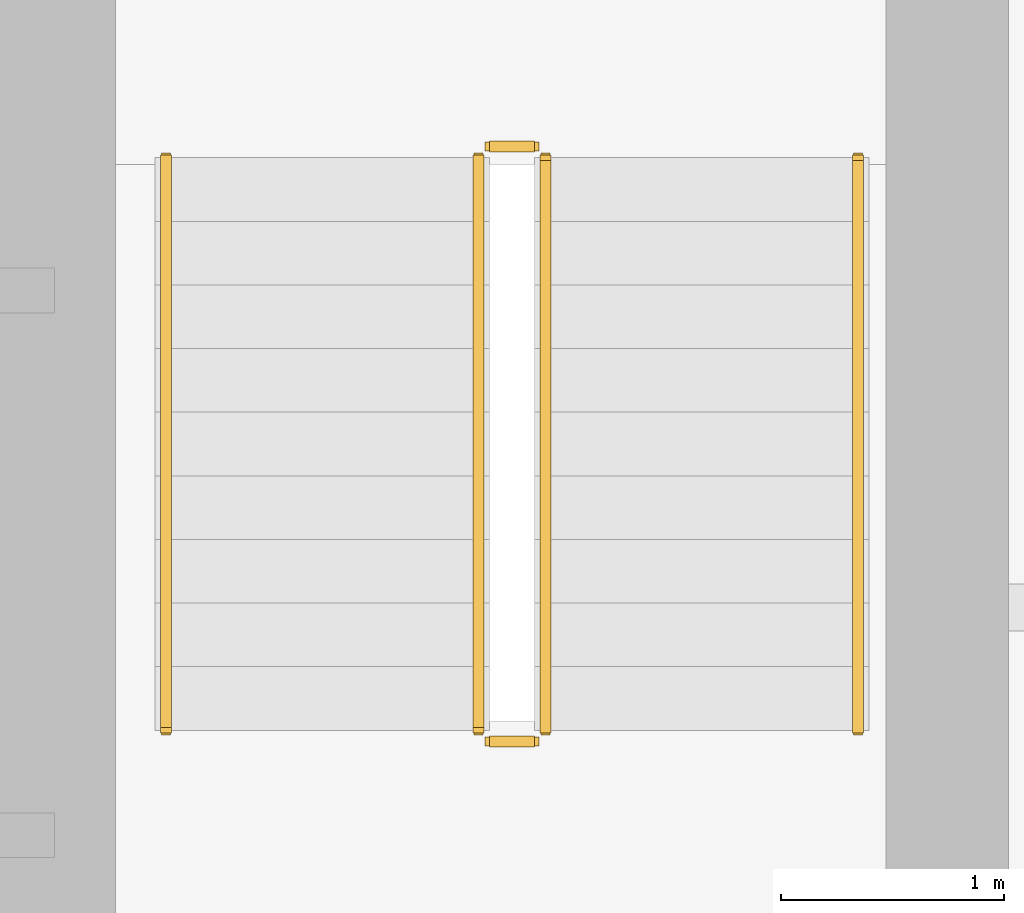
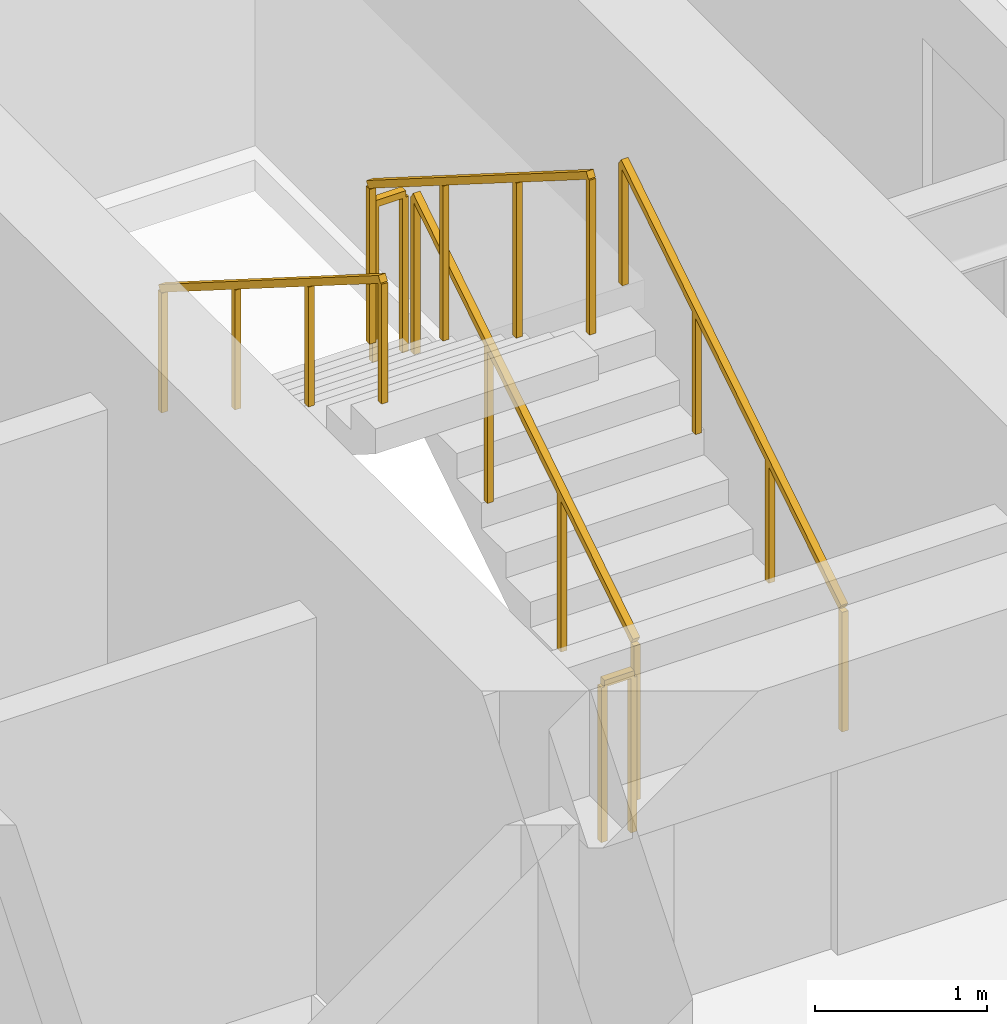
# One storey, part 24 of 24: 6 railings.
"""IFC4 building model written with IfcOpenShell, lengths in metres."""

from ifc_helpers import new_model, si_unit, direction, frame, origin, origin_2d, place, context, subcontext, project, spatial, rectangle, extrude, material, type_object, element, save


model = new_model("IFC4")

# Units and contexts
model_context = context("Model", 3, precision=1e-05, world=origin(), true_north=direction((0.0, 1.0)))
body_context = subcontext(model_context, "Body", "Model", "MODEL_VIEW")
ifc_project = project(units=[si_unit("LENGTHUNIT", "METRE"), si_unit("AREAUNIT", "SQUARE_METRE"), si_unit("VOLUMEUNIT", "CUBIC_METRE"), si_unit("PLANEANGLEUNIT", "RADIAN"), si_unit("MASSUNIT", "GRAM", prefix="KILO")], contexts=[model_context])

# Site, building, storey
site_placement = place(None, origin())
site = spatial("IfcSite", under=ifc_project, at=site_placement, CompositionType="ELEMENT")
building_placement = place(site_placement, origin())
building = spatial("IfcBuilding", under=site, at=building_placement, Name="Sarneth Arch Tower", CompositionType="ELEMENT")
storey_placement = place(building_placement, frame((0.0, 0.0, 130.800048828125)))
storey = spatial("IfcBuildingStorey", under=building, at=storey_placement, Name="L33", CompositionType="ELEMENT", Elevation=130.800048828125)

# Railings
ifc_material_1 = material(Name="Brushed Stainless Steel 304 tubular handrail", Category="steel")
railing_type_1 = type_object("IfcRailingType", Name="RAIL-HANDRAIL-900", PredefinedType="HANDRAIL", material=ifc_material_1)
railing_1_placement = place(storey_placement, frame((58.60009765625, 41.449951171875, 0.179931640625)))
element("IfcRailing", 1, at=railing_1_placement, inside=storey, type_object=railing_type_1, Name="L33 ST-2 stair handrail 1", PredefinedType="HANDRAIL", context=body_context, shape_type="SweptSolid", body=[
    extrude(rectangle(XDim=0.048095703125, YDim=0.048095703125, at=origin_2d()), frame((0.0, 0.0, 0.8759765625), z_axis=(0.0, 0.845465955043, 0.534029323973), x_axis=(-1.0, 0.0, 0.0)), (0.0, 0.0, 1.0), 3.03369140625),
    extrude(rectangle(XDim=0.0419921875, YDim=0.0419921875, at=origin_2d()), origin(), (0.0, 0.0, 1.0), 0.851806640625),
    extrude(rectangle(XDim=0.0419921875, YDim=0.0419921875, at=origin_2d()), frame((0.0, 0.85498046875, 0.5400390625)), (0.0, 0.0, 1.0), 0.851806640625),
    extrude(rectangle(XDim=0.0419921875, YDim=0.0419921875, at=origin_2d()), frame((0.0, 1.7099609375, 1.080078125)), (0.0, 0.0, 1.0), 0.851806640625),
    extrude(rectangle(XDim=0.0419921875, YDim=0.0419921875, at=origin_2d()), frame((0.0, 2.56494140625, 1.6201171875)), (0.0, 0.0, 1.0), 0.851806640625),
])
railing_2_placement = place(storey_placement, frame((55.5, 44.014892578125, 1.97998046875)))
element("IfcRailing", 2, at=railing_2_placement, inside=storey, type_object=railing_type_1, Name="L33 ST-2 stair handrail 2", PredefinedType="HANDRAIL", context=body_context, shape_type="SweptSolid", body=[
    extrude(rectangle(XDim=0.048095703125, YDim=0.048095703125, at=origin_2d()), frame((0.0, 0.0, 0.8759765625), z_axis=(0.0, -0.845502289212, 0.533971796014), x_axis=(1.0, 0.0, 0.0)), (0.0, 0.0, 1.0), 3.03369140625),
    extrude(rectangle(XDim=0.0419921875, YDim=0.0419921875, at=origin_2d()), origin(), (0.0, 0.0, 1.0), 0.851806640625),
    extrude(rectangle(XDim=0.0419921875, YDim=0.0419921875, at=origin_2d()), frame((0.0, -0.85498046875, 0.5400390625)), (0.0, 0.0, 1.0), 0.851806640625),
    extrude(rectangle(XDim=0.0419921875, YDim=0.0419921875, at=origin_2d()), frame((0.0, -1.7099609375, 1.079833984375)), (0.0, 0.0, 1.0), 0.851806640625),
    extrude(rectangle(XDim=0.0419921875, YDim=0.0419921875, at=origin_2d()), frame((0.0, -2.56494140625, 1.619873046875)), (0.0, 0.0, 1.0), 0.851806640625),
])
ifc_material_2 = material(Name="Painted Steel S275 stair well guard", Category="steel")
railing_type_2 = type_object("IfcRailingType", Name="RAIL-STAIR-GUARD", PredefinedType="GUARDRAIL", material=ifc_material_2)
railing_3_placement = place(storey_placement, frame((57.199951171875, 41.449951171875, 0.179931640625)))
element("IfcRailing", 3, at=railing_3_placement, inside=storey, type_object=railing_type_2, Name="L33 ST-2 stair guard 1", PredefinedType="GUARDRAIL", context=body_context, shape_type="SweptSolid", body=[
    extrude(rectangle(XDim=0.048095703125, YDim=0.048095703125, at=origin_2d()), frame((0.0, 0.0, 1.1259765625), z_axis=(0.0, 0.845465955043, 0.534029323973), x_axis=(-1.0, 0.0, 0.0)), (0.0, 0.0, 1.0), 3.03369140625),
    extrude(rectangle(XDim=0.0419921875, YDim=0.0419921875, at=origin_2d()), origin(), (0.0, 0.0, 1.0), 1.101806640625),
    extrude(rectangle(XDim=0.0419921875, YDim=0.0419921875, at=origin_2d()), frame((0.0, 0.85498046875, 0.5400390625)), (0.0, 0.0, 1.0), 1.101806640625),
    extrude(rectangle(XDim=0.0419921875, YDim=0.0419921875, at=origin_2d()), frame((0.0, 1.7099609375, 1.080078125)), (0.0, 0.0, 1.0), 1.101806640625),
    extrude(rectangle(XDim=0.0419921875, YDim=0.0419921875, at=origin_2d()), frame((0.0, 2.56494140625, 1.6201171875)), (0.0, 0.0, 1.0), 1.101806640625),
])
railing_4_placement = place(storey_placement, frame((57.14990234375, 44.06494140625, 1.800048828125)))
element("IfcRailing", 4, at=railing_4_placement, inside=storey, type_object=railing_type_2, Name="L33 ST-2 stair guard 2", PredefinedType="GUARDRAIL", context=body_context, shape_type="SweptSolid", body=[
    extrude(rectangle(XDim=0.048095703125, YDim=0.048095703125, at=origin_2d()), frame((0.0, 0.0, 1.1259765625), z_axis=(-1.0, 0.0, 0.0), x_axis=(0.0, -1.0, 0.0)), (0.0, 0.0, 1.0), 0.199951171875),
    extrude(rectangle(XDim=0.0419921875, YDim=0.0419921875, at=origin_2d()), origin(), (0.0, 0.0, 1.0), 1.101806640625),
    extrude(rectangle(XDim=0.0419921875, YDim=0.0419921875, at=origin_2d()), frame((-0.199951171875, 0.0, 0.0)), (0.0, 0.0, 1.0), 1.101806640625),
])
railing_5_placement = place(storey_placement, frame((56.89990234375, 44.014892578125, 1.97998046875)))
element("IfcRailing", 5, at=railing_5_placement, inside=storey, type_object=railing_type_2, Name="L33 ST-2 stair guard 3", PredefinedType="GUARDRAIL", context=body_context, shape_type="SweptSolid", body=[
    extrude(rectangle(XDim=0.048095703125, YDim=0.048095703125, at=origin_2d()), frame((0.0, 0.0, 1.1259765625), z_axis=(0.0, -0.845502289212, 0.533971796014), x_axis=(1.0, 0.0, 0.0)), (0.0, 0.0, 1.0), 3.03369140625),
    extrude(rectangle(XDim=0.0419921875, YDim=0.0419921875, at=origin_2d()), origin(), (0.0, 0.0, 1.0), 1.101806640625),
    extrude(rectangle(XDim=0.0419921875, YDim=0.0419921875, at=origin_2d()), frame((0.0, -0.85498046875, 0.5400390625)), (0.0, 0.0, 1.0), 1.101806640625),
    extrude(rectangle(XDim=0.0419921875, YDim=0.0419921875, at=origin_2d()), frame((0.0, -1.7099609375, 1.079833984375)), (0.0, 0.0, 1.0), 1.101806640625),
    extrude(rectangle(XDim=0.0419921875, YDim=0.0419921875, at=origin_2d()), frame((0.0, -2.56494140625, 1.619873046875)), (0.0, 0.0, 1.0), 1.101806640625),
])
railing_6_placement = place(storey_placement, frame((57.14990234375, 41.39990234375, 0.0)))
element("IfcRailing", 6, at=railing_6_placement, inside=storey, type_object=railing_type_2, Name="L33 ST-2 stair guard 4", PredefinedType="GUARDRAIL", context=body_context, shape_type="SweptSolid", body=[
    extrude(rectangle(XDim=0.048095703125, YDim=0.048095703125, at=origin_2d()), frame((0.0, 0.0, 1.1259765625), z_axis=(-1.0, 0.0, 0.0), x_axis=(0.0, -1.0, 0.0)), (0.0, 0.0, 1.0), 0.199951171875),
    extrude(rectangle(XDim=0.0419921875, YDim=0.0419921875, at=origin_2d()), origin(), (0.0, 0.0, 1.0), 1.101806640625),
    extrude(rectangle(XDim=0.0419921875, YDim=0.0419921875, at=origin_2d()), frame((-0.199951171875, 0.0, 0.0)), (0.0, 0.0, 1.0), 1.101806640625),
])

save(model, "model.ifc")
